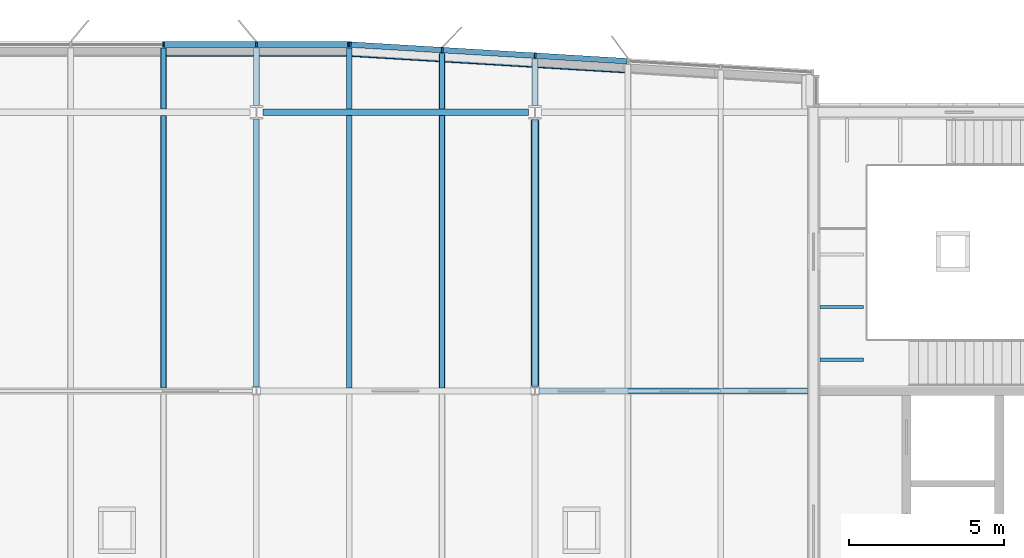
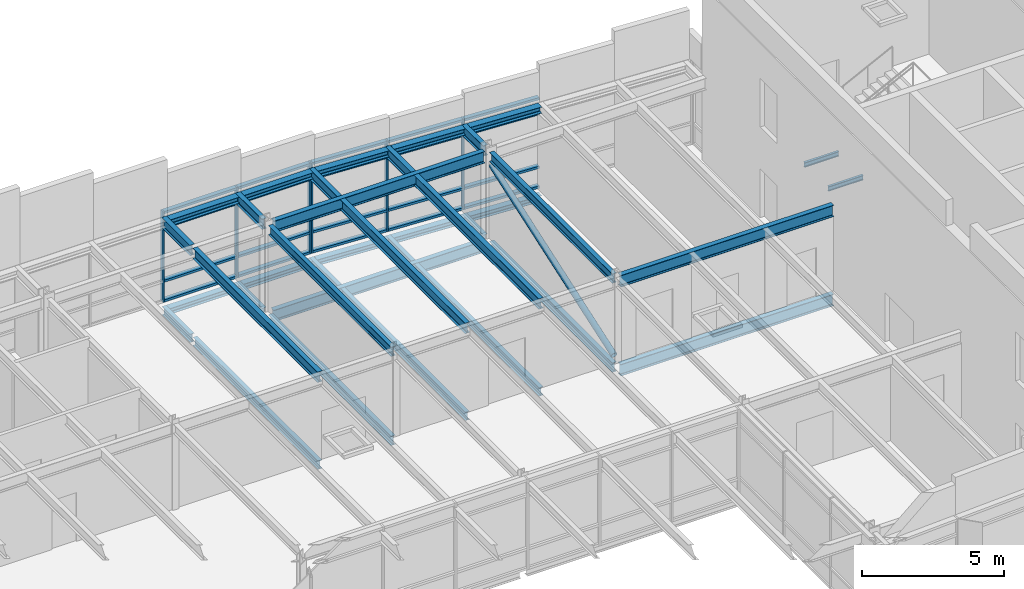
# One storey, part 8 of 23: 36 beams, 27 members, 2 elements without a shape of their own.
"""IFC4 building model written with IfcOpenShell, lengths in metres."""

from ifc_helpers import new_model, si_unit, direction, frame, origin, origin_2d, place, context, subcontext, project, spatial, rectangle, hollow_circle, i_section, extrude, material, material_profile, profile_set, type_object, element, aggregate, save


model = new_model("IFC4")

# Units and contexts
model_context = context("Model", 3, precision=1e-05, world=origin(), true_north=direction((0.0, 1.0)))
body_context = subcontext(model_context, "Body", "Model", "MODEL_VIEW")
ifc_project = project(units=[si_unit("LENGTHUNIT", "METRE"), si_unit("AREAUNIT", "SQUARE_METRE"), si_unit("VOLUMEUNIT", "CUBIC_METRE"), si_unit("PLANEANGLEUNIT", "RADIAN"), si_unit("MASSUNIT", "GRAM", prefix="KILO")], contexts=[model_context])

# Site, building, storey
site_placement = place(None, origin())
site = spatial("IfcSite", under=ifc_project, at=site_placement, CompositionType="ELEMENT")
building_placement = place(site_placement, origin())
building = spatial("IfcBuilding", under=site, at=building_placement, Name="Azimuth Sports and Learning Centre", CompositionType="ELEMENT")
storey_placement = place(building_placement, frame((0.0, 0.0, 75.300048828125)))
storey = spatial("IfcBuildingStorey", under=building, at=storey_placement, Name="L17", CompositionType="ELEMENT", Elevation=75.300048828125)

# Beams
ifc_material_1 = material(Name="Steel S355", Category="steel")
ifc_material_profile_1 = material_profile(ifc_material_1, i_section(OverallWidth=0.10009765625, OverallDepth=0.199951171875, WebThickness=0.005615234375, FlangeThickness=0.008544921875, FilletRadius=0.011962890625, at=origin_2d()), Name="IPE 200")
ifc_profile_set_1 = profile_set([ifc_material_profile_1], Name="Steel S355")
beam_type_1 = type_object("IfcBeamType", Name="Beam IPE 200", PredefinedType="BEAM", material=ifc_profile_set_1)
for number, where, z_axis, x_axis, name in (
    (1, (108.199951171875, 109.00830078125, 3.599853515625), (1.0, 0.0, 0.0), (0.0, 1.0, 0.0), "Landing bracket E2 L17 710"),
    (2, (108.199951171875, 110.705078125, 3.599853515625), (1.0, 0.0, 0.0), (0.0, 1.0, 0.0), "Landing bracket E2 L17 711"),
):
    element("IfcBeam", number, at=place(storey_placement, frame(where, z_axis=z_axis, x_axis=x_axis)), inside=storey, type_object=beam_type_1, Name=name, PredefinedType="BEAM", context=body_context, shape_type="SweptSolid", body=[
        extrude(i_section(OverallWidth=0.10009765625, OverallDepth=0.199951171875, WebThickness=0.005615234375, FlangeThickness=0.008544921875, FilletRadius=0.011962890625, at=origin_2d()), origin(), (0.0, 0.0, 1.0), 1.41015625),
    ])
ifc_material_2 = material(Name="Steel S355", Category="steel")
ifc_material_profile_2 = material_profile(ifc_material_2, i_section(OverallWidth=0.179931640625, OverallDepth=0.39990234375, WebThickness=0.008544921875, FlangeThickness=0.013427734375, FilletRadius=0.02099609375, at=origin_2d()), Name="IPE 400")
ifc_profile_set_2 = profile_set([ifc_material_profile_2], Name="Steel S355")
beam_type_2 = type_object("IfcBeamType", Name="Beam IPE 400", PredefinedType="BEAM", material=ifc_profile_set_2)
for number, where, z_axis, x_axis, name in (
    (3, (90.0, 108.1298828125, -0.330078125), (0.0, 1.0, 0.0), (-1.0, 0.0, 0.0), "Tower tie"),
    (4, (99.0, 108.1298828125, -0.330078125), (0.0, 1.0, 0.0), (-1.0, 0.0, 0.0), "Tower tie"),
    (5, (90.0, 108.1298828125, 3.5), (0.0, 1.0, 0.0), (-1.0, 0.0, 0.0), "Roof tie"),
    (6, (99.0, 108.1298828125, 3.5), (0.0, 1.0, 0.0), (-1.0, 0.0, 0.0), "Roof tie"),
):
    element("IfcBeam", number, at=place(storey_placement, frame(where, z_axis=z_axis, x_axis=x_axis)), inside=storey, type_object=beam_type_2, Name=name, PredefinedType="BEAM", context=body_context, shape_type="SweptSolid", body=[
        extrude(i_section(OverallWidth=0.179931640625, OverallDepth=0.39990234375, WebThickness=0.008544921875, FlangeThickness=0.013427734375, FilletRadius=0.02099609375, at=origin_2d()), origin(), (0.0, 0.0, 1.0), 8.652587890625),
    ])
ifc_material_3 = material(Name="Steel S355", Category="steel")
ifc_material_profile_3 = material_profile(ifc_material_3, i_section(OverallWidth=0.199951171875, OverallDepth=0.5, WebThickness=0.01025390625, FlangeThickness=0.01611328125, FilletRadius=0.02099609375, at=origin_2d()), Name="IPE 500")
ifc_profile_set_3 = profile_set([ifc_material_profile_3], Name="Steel S355")
beam_type_3 = type_object("IfcBeamType", Name="Beam IPE 500", PredefinedType="BEAM", material=ifc_profile_set_3)
beam_1_placement = place(storey_placement, frame((99.1298828125, 108.0, -0.380126953125), z_axis=(1.0, 0.0, 0.0), x_axis=(0.0, 1.0, 0.0)))
element("IfcBeam", 7, at=beam_1_placement, inside=storey, type_object=beam_type_3, Name="Tower girder L17", PredefinedType="BEAM", context=body_context, shape_type="SweptSolid", body=[
    extrude(i_section(OverallWidth=0.199951171875, OverallDepth=0.5, WebThickness=0.01025390625, FlangeThickness=0.01611328125, FilletRadius=0.02099609375, at=origin_2d()), origin(), (0.0, 0.0, 1.0), 8.670166015625),
])
beam_2_placement = place(storey_placement, frame((90.2060546875, 117.0, -0.380126953125), z_axis=(1.0, 0.0, 0.0), x_axis=(0.0, 1.0, 0.0)))
element("IfcBeam", 8, at=beam_2_placement, inside=storey, type_object=beam_type_3, Name="Tower girder L17", PredefinedType="BEAM", context=body_context, shape_type="SweptSolid", body=[
    extrude(i_section(OverallWidth=0.199951171875, OverallDepth=0.5, WebThickness=0.01025390625, FlangeThickness=0.01611328125, FilletRadius=0.02099609375, at=origin_2d()), origin(), (0.0, 0.0, 1.0), 8.587890625),
])
beam_3_placement = place(storey_placement, frame((99.1298828125, 108.0, 3.449951171875), z_axis=(1.0, 0.0, 0.0), x_axis=(0.0, 1.0, 0.0)))
element("IfcBeam", 9, at=beam_3_placement, inside=storey, type_object=beam_type_3, Name="Roof girder", PredefinedType="BEAM", context=body_context, shape_type="SweptSolid", body=[
    extrude(i_section(OverallWidth=0.199951171875, OverallDepth=0.5, WebThickness=0.01025390625, FlangeThickness=0.01611328125, FilletRadius=0.02099609375, at=origin_2d()), origin(), (0.0, 0.0, 1.0), 8.670166015625),
])
beam_4_placement = place(storey_placement, frame((90.2060546875, 117.0, 3.449951171875), z_axis=(1.0, 0.0, 0.0), x_axis=(0.0, 1.0, 0.0)))
element("IfcBeam", 10, at=beam_4_placement, inside=storey, type_object=beam_type_3, Name="Roof girder", PredefinedType="BEAM", context=body_context, shape_type="SweptSolid", body=[
    extrude(i_section(OverallWidth=0.199951171875, OverallDepth=0.5, WebThickness=0.01025390625, FlangeThickness=0.01611328125, FilletRadius=0.02099609375, at=origin_2d()), origin(), (0.0, 0.0, 1.0), 8.587890625),
])

# Member
ifc_material_4 = material(Name="Steel S355", Category="steel")
ifc_material_profile_4 = material_profile(ifc_material_4, hollow_circle(Radius=0.122314453125, WallThickness=0.012451171875, at=origin_2d()), Name="CHS 244.5x12.5")
ifc_profile_set_4 = profile_set([ifc_material_profile_4], Name="Steel S355")
member_type_1 = type_object("IfcMemberType", Name="Brace CHS 244.5x12.5", PredefinedType="BRACE", material=ifc_profile_set_4)
member_1_placement = place(storey_placement, frame((99.0, 108.149658203125, 0.1689453125), z_axis=(0.0, 0.945646677599, 0.325195881194), x_axis=(-1.0, 0.0, 0.0)))
element("IfcMember", 11, at=member_1_placement, inside=storey, type_object=member_type_1, Name="Tower brace 12 L17", PredefinedType="BRACE", context=body_context, shape_type="SweptSolid", body=[
    extrude(hollow_circle(Radius=0.122314453125, WallThickness=0.012451171875, at=origin_2d()), origin(), (0.0, 0.0, 1.0), 9.108154296875),
])

# Beams
ifc_material_5 = material(Name="Steel S355", Category="steel")
ifc_material_profile_5 = material_profile(ifc_material_5, i_section(OverallWidth=0.169921875, OverallDepth=0.360107421875, WebThickness=0.008056640625, FlangeThickness=0.0126953125, FilletRadius=0.01806640625, at=origin_2d()), Name="IPE 360")
ifc_profile_set_5 = profile_set([ifc_material_profile_5], Name="Steel S355")
beam_type_4 = type_object("IfcBeamType", Name="Cantilever stub IPE 360", PredefinedType="JOIST", material=ifc_profile_set_5)
beam_5_placement = place(storey_placement, frame((87.0, 117.10009765625, -0.31005859375), z_axis=(0.0, 1.0, 0.0), x_axis=(-1.0, 0.0, 0.0)))
element("IfcBeam", 12, at=beam_5_placement, inside=storey, type_object=beam_type_4, Name="Tower cantilever stub", PredefinedType="JOIST", context=body_context, shape_type="SweptSolid", body=[
    extrude(i_section(OverallWidth=0.169921875, OverallDepth=0.360107421875, WebThickness=0.008056640625, FlangeThickness=0.0126953125, FilletRadius=0.01806640625, at=origin_2d()), origin(), (0.0, 0.0, 1.0), 1.97998046875),
])
beam_6_placement = place(storey_placement, frame((90.0, 117.217529296875, -0.31005859375), z_axis=(0.0, 1.0, 0.0), x_axis=(-1.0, 0.0, 0.0)))
element("IfcBeam", 13, at=beam_6_placement, inside=storey, type_object=beam_type_4, Name="Tower cantilever stub", PredefinedType="JOIST", context=body_context, shape_type="SweptSolid", body=[
    extrude(i_section(OverallWidth=0.169921875, OverallDepth=0.360107421875, WebThickness=0.008056640625, FlangeThickness=0.0126953125, FilletRadius=0.01806640625, at=origin_2d()), origin(), (0.0, 0.0, 1.0), 1.862548828125),
])
beam_7_placement = place(storey_placement, frame((93.0, 117.10009765625, -0.31005859375), z_axis=(0.0, 1.0, 0.0), x_axis=(-1.0, 0.0, 0.0)))
element("IfcBeam", 14, at=beam_7_placement, inside=storey, type_object=beam_type_4, Name="Tower cantilever stub", PredefinedType="JOIST", context=body_context, shape_type="SweptSolid", body=[
    extrude(i_section(OverallWidth=0.169921875, OverallDepth=0.360107421875, WebThickness=0.008056640625, FlangeThickness=0.0126953125, FilletRadius=0.01806640625, at=origin_2d()), origin(), (0.0, 0.0, 1.0), 1.97998046875),
])
beam_8_placement = place(storey_placement, frame((96.0, 117.10009765625, -0.31005859375), z_axis=(0.0, 1.0, 0.0), x_axis=(-1.0, 0.0, 0.0)))
element("IfcBeam", 15, at=beam_8_placement, inside=storey, type_object=beam_type_4, Name="Tower cantilever stub", PredefinedType="JOIST", context=body_context, shape_type="SweptSolid", body=[
    extrude(i_section(OverallWidth=0.169921875, OverallDepth=0.360107421875, WebThickness=0.008056640625, FlangeThickness=0.0126953125, FilletRadius=0.01806640625, at=origin_2d()), origin(), (0.0, 0.0, 1.0), 1.7998046875),
])
beam_9_placement = place(storey_placement, frame((99.0, 117.217529296875, -0.31005859375), z_axis=(0.0, 1.0, 0.0), x_axis=(-1.0, 0.0, 0.0)))
element("IfcBeam", 16, at=beam_9_placement, inside=storey, type_object=beam_type_4, Name="Tower cantilever stub", PredefinedType="JOIST", context=body_context, shape_type="SweptSolid", body=[
    extrude(i_section(OverallWidth=0.169921875, OverallDepth=0.360107421875, WebThickness=0.008056640625, FlangeThickness=0.0126953125, FilletRadius=0.01806640625, at=origin_2d()), origin(), (0.0, 0.0, 1.0), 1.50244140625),
])
ifc_material_6 = material(Name="Steel S355", Category="steel")
ifc_material_profile_6 = material_profile(ifc_material_6, i_section(OverallWidth=0.18994140625, OverallDepth=0.449951171875, WebThickness=0.009521484375, FlangeThickness=0.0146484375, FilletRadius=0.02099609375, at=origin_2d()), Name="IPE 450")
ifc_profile_set_6 = profile_set([ifc_material_profile_6], Name="Steel S355")
beam_type_5 = type_object("IfcBeamType", Name="Cantilever stub IPE 450", PredefinedType="JOIST", material=ifc_profile_set_6)
beam_10_placement = place(storey_placement, frame((87.0, 117.10009765625, 3.474853515625), z_axis=(0.0, 1.0, 0.0), x_axis=(-1.0, 0.0, 0.0)))
element("IfcBeam", 17, at=beam_10_placement, inside=storey, type_object=beam_type_5, Name="Roof cantilever stub", PredefinedType="JOIST", context=body_context, shape_type="SweptSolid", body=[
    extrude(i_section(OverallWidth=0.18994140625, OverallDepth=0.449951171875, WebThickness=0.009521484375, FlangeThickness=0.0146484375, FilletRadius=0.02099609375, at=origin_2d()), origin(), (0.0, 0.0, 1.0), 1.97998046875),
])
beam_11_placement = place(storey_placement, frame((90.0, 117.217529296875, 3.474853515625), z_axis=(0.0, 1.0, 0.0), x_axis=(-1.0, 0.0, 0.0)))
element("IfcBeam", 18, at=beam_11_placement, inside=storey, type_object=beam_type_5, Name="Roof cantilever stub", PredefinedType="JOIST", context=body_context, shape_type="SweptSolid", body=[
    extrude(i_section(OverallWidth=0.18994140625, OverallDepth=0.449951171875, WebThickness=0.009521484375, FlangeThickness=0.0146484375, FilletRadius=0.02099609375, at=origin_2d()), origin(), (0.0, 0.0, 1.0), 1.862548828125),
])
beam_12_placement = place(storey_placement, frame((93.0, 117.10009765625, 3.474853515625), z_axis=(0.0, 1.0, 0.0), x_axis=(-1.0, 0.0, 0.0)))
element("IfcBeam", 19, at=beam_12_placement, inside=storey, type_object=beam_type_5, Name="Roof cantilever stub", PredefinedType="JOIST", context=body_context, shape_type="SweptSolid", body=[
    extrude(i_section(OverallWidth=0.18994140625, OverallDepth=0.449951171875, WebThickness=0.009521484375, FlangeThickness=0.0146484375, FilletRadius=0.02099609375, at=origin_2d()), origin(), (0.0, 0.0, 1.0), 1.97998046875),
])
beam_13_placement = place(storey_placement, frame((96.0, 117.10009765625, 3.474853515625), z_axis=(0.0, 1.0, 0.0), x_axis=(-1.0, 0.0, 0.0)))
element("IfcBeam", 20, at=beam_13_placement, inside=storey, type_object=beam_type_5, Name="Roof cantilever stub", PredefinedType="JOIST", context=body_context, shape_type="SweptSolid", body=[
    extrude(i_section(OverallWidth=0.18994140625, OverallDepth=0.449951171875, WebThickness=0.009521484375, FlangeThickness=0.0146484375, FilletRadius=0.02099609375, at=origin_2d()), origin(), (0.0, 0.0, 1.0), 1.7998046875),
])
beam_14_placement = place(storey_placement, frame((99.0, 117.217529296875, 3.474853515625), z_axis=(0.0, 1.0, 0.0), x_axis=(-1.0, 0.0, 0.0)))
element("IfcBeam", 21, at=beam_14_placement, inside=storey, type_object=beam_type_5, Name="Roof cantilever stub", PredefinedType="JOIST", context=body_context, shape_type="SweptSolid", body=[
    extrude(i_section(OverallWidth=0.18994140625, OverallDepth=0.449951171875, WebThickness=0.009521484375, FlangeThickness=0.0146484375, FilletRadius=0.02099609375, at=origin_2d()), origin(), (0.0, 0.0, 1.0), 1.50244140625),
])
ifc_material_7 = material(Name="Steel S355", Category="steel")
ifc_material_profile_7 = material_profile(ifc_material_7, i_section(OverallWidth=0.260009765625, OverallDepth=0.25, WebThickness=0.007568359375, FlangeThickness=0.012451171875, FilletRadius=0.02392578125, at=origin_2d()), Name="HEA 260")
ifc_profile_set_7 = profile_set([ifc_material_profile_7], Name="Steel S355")
beam_type_6 = type_object("IfcBeamType", Name="Edge beam HEA 260", PredefinedType="SPANDREL", material=ifc_profile_set_7)
for number, where, z_axis, x_axis, name in (
    (22, (87.0849609375, 118.949951171875, -0.255126953125), (1.0, 0.0, 0.0), (0.0, 1.0, 0.0), "Tower edge beam"),
    (23, (90.0849609375, 118.949951171875, -0.255126953125), (1.0, 0.0, 0.0), (0.0, 1.0, 0.0), "Tower edge beam"),
):
    element("IfcBeam", number, at=place(storey_placement, frame(where, z_axis=z_axis, x_axis=x_axis)), inside=storey, type_object=beam_type_6, Name=name, PredefinedType="SPANDREL", context=body_context, shape_type="SweptSolid", body=[
        extrude(i_section(OverallWidth=0.260009765625, OverallDepth=0.25, WebThickness=0.007568359375, FlangeThickness=0.012451171875, FilletRadius=0.02392578125, at=origin_2d()), origin(), (0.0, 0.0, 1.0), 2.830078125),
    ])
for number, where, z_axis, x_axis, name in (
    (24, (93.0849609375, 118.94482421875, -0.255126953125), (0.998207521518, -0.059847673176, 0.0), (0.059847673176, 0.998207521518, 0.0), "Tower edge beam"),
    (25, (96.0849609375, 118.764892578125, -0.255126953125), (0.998207521518, -0.059847673176, 0.0), (0.059847673176, 0.998207521518, 0.0), "Tower edge beam"),
    (26, (99.0849609375, 118.5849609375, -0.255126953125), (0.998202373506, -0.059933475842, 0.0), (0.059933475842, 0.998202373506, 0.0), "Tower edge beam"),
):
    element("IfcBeam", number, at=place(storey_placement, frame(where, z_axis=z_axis, x_axis=x_axis)), inside=storey, type_object=beam_type_6, Name=name, PredefinedType="SPANDREL", context=body_context, shape_type="SweptSolid", body=[
        extrude(i_section(OverallWidth=0.260009765625, OverallDepth=0.25, WebThickness=0.007568359375, FlangeThickness=0.012451171875, FilletRadius=0.02392578125, at=origin_2d()), origin(), (0.0, 0.0, 1.0), 2.835205078125),
    ])
ifc_material_8 = material(Name="Steel S355", Category="steel")
ifc_material_profile_8 = material_profile(ifc_material_8, i_section(OverallWidth=0.280029296875, OverallDepth=0.27001953125, WebThickness=0.008056640625, FlangeThickness=0.012939453125, FilletRadius=0.02392578125, at=origin_2d()), Name="HEA 280")
ifc_profile_set_8 = profile_set([ifc_material_profile_8], Name="Steel S355")
beam_type_7 = type_object("IfcBeamType", Name="Edge beam HEA 280", PredefinedType="SPANDREL", material=ifc_profile_set_8)
for number, where, z_axis, x_axis, name in (
    (27, (87.094970703125, 118.93994140625, 3.56494140625), (1.0, 0.0, 0.0), (0.0, 1.0, 0.0), "Roof edge beam"),
    (28, (90.094970703125, 118.93994140625, 3.56494140625), (1.0, 0.0, 0.0), (0.0, 1.0, 0.0), "Roof edge beam"),
):
    element("IfcBeam", number, at=place(storey_placement, frame(where, z_axis=z_axis, x_axis=x_axis)), inside=storey, type_object=beam_type_7, Name=name, PredefinedType="SPANDREL", context=body_context, shape_type="SweptSolid", body=[
        extrude(i_section(OverallWidth=0.280029296875, OverallDepth=0.27001953125, WebThickness=0.008056640625, FlangeThickness=0.012939453125, FilletRadius=0.02392578125, at=origin_2d()), origin(), (0.0, 0.0, 1.0), 2.81005859375),
    ])
for number, where, z_axis, x_axis, name in (
    (29, (93.094970703125, 118.934326171875, 3.56494140625), (0.998202770938, -0.059926856187, 0.0), (0.059926856187, 0.998202770938, 0.0), "Roof edge beam"),
    (30, (96.094970703125, 118.75439453125, 3.56494140625), (0.998202770938, -0.059926856187, 0.0), (0.059926856187, 0.998202770938, 0.0), "Roof edge beam"),
    (31, (99.094970703125, 118.57421875, 3.56494140625), (0.99820795503, -0.059840442135, 0.0), (0.059840442135, 0.99820795503, 0.0), "Roof edge beam"),
):
    element("IfcBeam", number, at=place(storey_placement, frame(where, z_axis=z_axis, x_axis=x_axis)), inside=storey, type_object=beam_type_7, Name=name, PredefinedType="SPANDREL", context=body_context, shape_type="SweptSolid", body=[
        extrude(i_section(OverallWidth=0.280029296875, OverallDepth=0.27001953125, WebThickness=0.008056640625, FlangeThickness=0.012939453125, FilletRadius=0.02392578125, at=origin_2d()), origin(), (0.0, 0.0, 1.0), 2.815185546875),
    ])
ifc_material_9 = material(Name="Steel S355", Category="steel")
ifc_material_profile_9 = material_profile(ifc_material_9, i_section(OverallWidth=0.169921875, OverallDepth=0.360107421875, WebThickness=0.008056640625, FlangeThickness=0.0126953125, FilletRadius=0.01806640625, at=origin_2d()), Name="IPE 360")
ifc_profile_set_9 = profile_set([ifc_material_profile_9], Name="Steel S355")
beam_type_8 = type_object("IfcBeamType", Name="Joist IPE 360", PredefinedType="JOIST", material=ifc_profile_set_9)
for number, where, z_axis, x_axis, name in (
    (32, (87.0, 108.10009765625, -0.31005859375), (0.0, 1.0, 0.0), (-1.0, 0.0, 0.0), "Tower joist"),
    (33, (93.0, 108.10009765625, -0.31005859375), (0.0, 1.0, 0.0), (-1.0, 0.0, 0.0), "Tower joist"),
    (34, (96.0, 108.10009765625, -0.31005859375), (0.0, 1.0, 0.0), (-1.0, 0.0, 0.0), "Tower joist"),
):
    element("IfcBeam", number, at=place(storey_placement, frame(where, z_axis=z_axis, x_axis=x_axis)), inside=storey, type_object=beam_type_8, Name=name, PredefinedType="JOIST", context=body_context, shape_type="SweptSolid", body=[
        extrude(i_section(OverallWidth=0.169921875, OverallDepth=0.360107421875, WebThickness=0.008056640625, FlangeThickness=0.0126953125, FilletRadius=0.01806640625, at=origin_2d()), origin(), (0.0, 0.0, 1.0), 8.7998046875),
    ])
ifc_material_10 = material(Name="Steel S355", Category="steel")
ifc_material_profile_10 = material_profile(ifc_material_10, i_section(OverallWidth=0.18994140625, OverallDepth=0.449951171875, WebThickness=0.009521484375, FlangeThickness=0.0146484375, FilletRadius=0.02099609375, at=origin_2d()), Name="IPE 450")
ifc_profile_set_10 = profile_set([ifc_material_profile_10], Name="Steel S355")
beam_type_9 = type_object("IfcBeamType", Name="Joist IPE 450", PredefinedType="JOIST", material=ifc_profile_set_10)
for number, where, z_axis, x_axis, name in (
    (35, (87.0, 108.10009765625, 3.474853515625), (0.0, 1.0, 0.0), (-1.0, 0.0, 0.0), "Roof joist"),
    (36, (93.0, 108.10009765625, 3.474853515625), (0.0, 1.0, 0.0), (-1.0, 0.0, 0.0), "Roof joist"),
    (37, (96.0, 108.10009765625, 3.474853515625), (0.0, 1.0, 0.0), (-1.0, 0.0, 0.0), "Roof joist"),
):
    element("IfcBeam", number, at=place(storey_placement, frame(where, z_axis=z_axis, x_axis=x_axis)), inside=storey, type_object=beam_type_9, Name=name, PredefinedType="JOIST", context=body_context, shape_type="SweptSolid", body=[
        extrude(i_section(OverallWidth=0.18994140625, OverallDepth=0.449951171875, WebThickness=0.009521484375, FlangeThickness=0.0146484375, FilletRadius=0.02099609375, at=origin_2d()), origin(), (0.0, 0.0, 1.0), 8.7998046875),
    ])

# Curtain wall, members
ifc_material_11 = material(Name="Aluminium and glass", Category="aluminium")
curtain_wall_type = type_object("IfcCurtainWallType", Name="Curtain wall tower north 180", PredefinedType="NOTDEFINED", material=ifc_material_11)
curtain_wall_1_placement = place(storey_placement, origin())
curtain_wall_1 = element("IfcCurtainWall", 38, at=curtain_wall_1_placement, inside=storey, type_object=curtain_wall_type, Name="Curtain wall CW17-009", PredefinedType="NOTDEFINED")
ifc_material_12 = material(Name="Aluminium", Category="aluminium")
ifc_material_profile_11 = material_profile(ifc_material_12, rectangle(XDim=0.179931640625, YDim=0.06005859375, at=origin_2d()), Name="Mullion 60x180")
ifc_profile_set_11 = profile_set([ifc_material_profile_11], Name="Aluminium")
member_type_2 = type_object("IfcMemberType", Name="Mullion 60x180", PredefinedType="MULLION", material=ifc_profile_set_11)
member_2_placement = place(storey_placement, frame((99.00537109375, 118.829833984375, 0.0), z_axis=(0.0, 0.0, 1.0), x_axis=(-0.059891991812, -0.998204863401, 0.0)))
member_2 = element("IfcMember", 39, at=member_2_placement, type_object=member_type_2, Name="CW17-009 mullion 4", PredefinedType="MULLION", context=body_context, shape_type="SweptSolid", body=[
    extrude(rectangle(XDim=0.179931640625, YDim=0.06005859375, at=origin_2d()), origin(), (0.0, 0.0, 1.0), 3.89990234375),
])
member_3_placement = place(storey_placement, frame((96.00537109375, 119.009765625, 0.0), z_axis=(0.0, 0.0, 1.0), x_axis=(-0.059891991812, -0.998204863401, 0.0)))
member_3 = element("IfcMember", 40, at=member_3_placement, type_object=member_type_2, Name="CW17-009 mullion 5", PredefinedType="MULLION", context=body_context, shape_type="SweptSolid", body=[
    extrude(rectangle(XDim=0.179931640625, YDim=0.06005859375, at=origin_2d()), origin(), (0.0, 0.0, 1.0), 3.89990234375),
])
member_4_placement = place(storey_placement, frame((93.035400390625, 119.18798828125, 0.0), z_axis=(0.0, 0.0, 1.0), x_axis=(-0.059891991812, -0.998204863401, 0.0)))
member_4 = element("IfcMember", 41, at=member_4_placement, type_object=member_type_2, Name="CW17-009 mullion 6", PredefinedType="MULLION", context=body_context, shape_type="SweptSolid", body=[
    extrude(rectangle(XDim=0.179931640625, YDim=0.06005859375, at=origin_2d()), origin(), (0.0, 0.0, 1.0), 3.89990234375),
])

curtain_wall_2_placement = place(storey_placement, origin())
curtain_wall_2 = element("IfcCurtainWall", 42, at=curtain_wall_2_placement, inside=storey, type_object=curtain_wall_type, Name="Curtain wall CW17-010", PredefinedType="NOTDEFINED")
member_5_placement = place(storey_placement, frame((92.975341796875, 119.18994140625, 0.0), z_axis=(0.0, 0.0, 1.0), x_axis=(0.0, -1.0, 0.0)))
member_5 = element("IfcMember", 43, at=member_5_placement, type_object=member_type_2, Name="CW17-010 mullion 1", PredefinedType="MULLION", context=body_context, shape_type="SweptSolid", body=[
    extrude(rectangle(XDim=0.179931640625, YDim=0.06005859375, at=origin_2d()), origin(), (0.0, 0.0, 1.0), 3.89990234375),
])
member_6_placement = place(storey_placement, frame((90.0, 119.18994140625, 0.0), z_axis=(0.0, 0.0, 1.0), x_axis=(0.0, -1.0, 0.0)))
member_6 = element("IfcMember", 44, at=member_6_placement, type_object=member_type_2, Name="CW17-010 mullion 2", PredefinedType="MULLION", context=body_context, shape_type="SweptSolid", body=[
    extrude(rectangle(XDim=0.179931640625, YDim=0.06005859375, at=origin_2d()), origin(), (0.0, 0.0, 1.0), 3.89990234375),
])
member_7_placement = place(storey_placement, frame((87.0, 119.18994140625, 0.0), z_axis=(0.0, 0.0, 1.0), x_axis=(0.0, -1.0, 0.0)))
member_7 = element("IfcMember", 45, at=member_7_placement, type_object=member_type_2, Name="CW17-010 mullion 3", PredefinedType="MULLION", context=body_context, shape_type="SweptSolid", body=[
    extrude(rectangle(XDim=0.179931640625, YDim=0.06005859375, at=origin_2d()), origin(), (0.0, 0.0, 1.0), 3.89990234375),
])

# Member
ifc_material_13 = material(Name="Aluminium", Category="aluminium")
ifc_material_profile_12 = material_profile(ifc_material_13, rectangle(XDim=0.179931640625, YDim=0.10009765625, at=origin_2d()), Name="Transom 100x180")
ifc_profile_set_12 = profile_set([ifc_material_profile_12], Name="Aluminium")
member_type_3 = type_object("IfcMemberType", Name="Transom 100x180", PredefinedType="USERDEFINED", material=ifc_profile_set_12)
member_8_placement = place(storey_placement, frame((101.975341796875, 118.651611328125, 0.050048828125), z_axis=(-0.998202465912, 0.059931936792, 0.0), x_axis=(-0.059931936792, -0.998202465912, 0.0)))
member_8 = element("IfcMember", 46, at=member_8_placement, type_object=member_type_3, Name="CW17-009 transom 3.1", ObjectType="TRANSOM", PredefinedType="USERDEFINED", context=body_context, shape_type="SweptSolid", body=[
    extrude(rectangle(XDim=0.179931640625, YDim=0.10009765625, at=origin_2d()), origin(), (0.0, 0.0, 1.0), 2.9453125),
])

member_9_placement = place(storey_placement, frame((101.975341796875, 118.651611328125, 0.89990234375), z_axis=(-0.998202465912, 0.059931936792, 0.0), x_axis=(-0.059931936792, -0.998202465912, 0.0)))
member_9 = element("IfcMember", 47, at=member_9_placement, type_object=member_type_3, Name="CW17-009 transom 3.2", ObjectType="TRANSOM", PredefinedType="USERDEFINED", context=body_context, shape_type="SweptSolid", body=[
    extrude(rectangle(XDim=0.179931640625, YDim=0.10009765625, at=origin_2d()), origin(), (0.0, 0.0, 1.0), 2.9453125),
])

member_10_placement = place(storey_placement, frame((101.975341796875, 118.651611328125, 3.199951171875), z_axis=(-0.998202465912, 0.059931936792, 0.0), x_axis=(-0.059931936792, -0.998202465912, 0.0)))
member_10 = element("IfcMember", 48, at=member_10_placement, type_object=member_type_3, Name="CW17-009 transom 3.3", ObjectType="TRANSOM", PredefinedType="USERDEFINED", context=body_context, shape_type="SweptSolid", body=[
    extrude(rectangle(XDim=0.179931640625, YDim=0.10009765625, at=origin_2d()), origin(), (0.0, 0.0, 1.0), 2.9453125),
])

member_11_placement = place(storey_placement, frame((101.975341796875, 118.651611328125, 3.849853515625), z_axis=(-0.998202465912, 0.059931936792, 0.0), x_axis=(-0.059931936792, -0.998202465912, 0.0)))
member_11 = element("IfcMember", 49, at=member_11_placement, type_object=member_type_3, Name="CW17-009 transom 3.4", ObjectType="TRANSOM", PredefinedType="USERDEFINED", context=body_context, shape_type="SweptSolid", body=[
    extrude(rectangle(XDim=0.179931640625, YDim=0.10009765625, at=origin_2d()), origin(), (0.0, 0.0, 1.0), 2.9453125),
])

member_12_placement = place(storey_placement, frame((98.975341796875, 118.83154296875, 0.050048828125), z_axis=(-0.998202465912, 0.059931936792, 0.0), x_axis=(-0.059931936792, -0.998202465912, 0.0)))
member_12 = element("IfcMember", 50, at=member_12_placement, type_object=member_type_3, Name="CW17-009 transom 4.1", ObjectType="TRANSOM", PredefinedType="USERDEFINED", context=body_context, shape_type="SweptSolid", body=[
    extrude(rectangle(XDim=0.179931640625, YDim=0.10009765625, at=origin_2d()), origin(), (0.0, 0.0, 1.0), 2.9453125),
])

member_13_placement = place(storey_placement, frame((98.975341796875, 118.83154296875, 0.89990234375), z_axis=(-0.998202465912, 0.059931936792, 0.0), x_axis=(-0.059931936792, -0.998202465912, 0.0)))
member_13 = element("IfcMember", 51, at=member_13_placement, type_object=member_type_3, Name="CW17-009 transom 4.2", ObjectType="TRANSOM", PredefinedType="USERDEFINED", context=body_context, shape_type="SweptSolid", body=[
    extrude(rectangle(XDim=0.179931640625, YDim=0.10009765625, at=origin_2d()), origin(), (0.0, 0.0, 1.0), 2.9453125),
])

member_14_placement = place(storey_placement, frame((98.975341796875, 118.83154296875, 3.199951171875), z_axis=(-0.998202465912, 0.059931936792, 0.0), x_axis=(-0.059931936792, -0.998202465912, 0.0)))
member_14 = element("IfcMember", 52, at=member_14_placement, type_object=member_type_3, Name="CW17-009 transom 4.3", ObjectType="TRANSOM", PredefinedType="USERDEFINED", context=body_context, shape_type="SweptSolid", body=[
    extrude(rectangle(XDim=0.179931640625, YDim=0.10009765625, at=origin_2d()), origin(), (0.0, 0.0, 1.0), 2.9453125),
])

member_15_placement = place(storey_placement, frame((98.975341796875, 118.83154296875, 3.849853515625), z_axis=(-0.998202465912, 0.059931936792, 0.0), x_axis=(-0.059931936792, -0.998202465912, 0.0)))
member_15 = element("IfcMember", 53, at=member_15_placement, type_object=member_type_3, Name="CW17-009 transom 4.4", ObjectType="TRANSOM", PredefinedType="USERDEFINED", context=body_context, shape_type="SweptSolid", body=[
    extrude(rectangle(XDim=0.179931640625, YDim=0.10009765625, at=origin_2d()), origin(), (0.0, 0.0, 1.0), 2.9453125),
])

member_16_placement = place(storey_placement, frame((95.975341796875, 119.01171875, 0.050048828125), z_axis=(-0.998205846627, 0.059875602377, 0.0), x_axis=(-0.059875602377, -0.998205846627, 0.0)))
member_16 = element("IfcMember", 54, at=member_16_placement, type_object=member_type_3, Name="CW17-009 transom 5.1", ObjectType="TRANSOM", PredefinedType="USERDEFINED", context=body_context, shape_type="SweptSolid", body=[
    extrude(rectangle(XDim=0.179931640625, YDim=0.10009765625, at=origin_2d()), origin(), (0.0, 0.0, 1.0), 2.915283203125),
])

member_17_placement = place(storey_placement, frame((95.975341796875, 119.01171875, 0.89990234375), z_axis=(-0.998205846627, 0.059875602377, 0.0), x_axis=(-0.059875602377, -0.998205846627, 0.0)))
member_17 = element("IfcMember", 55, at=member_17_placement, type_object=member_type_3, Name="CW17-009 transom 5.2", ObjectType="TRANSOM", PredefinedType="USERDEFINED", context=body_context, shape_type="SweptSolid", body=[
    extrude(rectangle(XDim=0.179931640625, YDim=0.10009765625, at=origin_2d()), origin(), (0.0, 0.0, 1.0), 2.915283203125),
])

member_18_placement = place(storey_placement, frame((95.975341796875, 119.01171875, 3.199951171875), z_axis=(-0.998205846627, 0.059875602377, 0.0), x_axis=(-0.059875602377, -0.998205846627, 0.0)))
member_18 = element("IfcMember", 56, at=member_18_placement, type_object=member_type_3, Name="CW17-009 transom 5.3", ObjectType="TRANSOM", PredefinedType="USERDEFINED", context=body_context, shape_type="SweptSolid", body=[
    extrude(rectangle(XDim=0.179931640625, YDim=0.10009765625, at=origin_2d()), origin(), (0.0, 0.0, 1.0), 2.915283203125),
])

member_19_placement = place(storey_placement, frame((95.975341796875, 119.01171875, 3.849853515625), z_axis=(-0.998205846627, 0.059875602377, 0.0), x_axis=(-0.059875602377, -0.998205846627, 0.0)))
member_19 = element("IfcMember", 57, at=member_19_placement, type_object=member_type_3, Name="CW17-009 transom 5.4", ObjectType="TRANSOM", PredefinedType="USERDEFINED", context=body_context, shape_type="SweptSolid", body=[
    extrude(rectangle(XDim=0.179931640625, YDim=0.10009765625, at=origin_2d()), origin(), (0.0, 0.0, 1.0), 2.915283203125),
])

aggregate(curtain_wall_1, [member_2, member_3, member_4, member_8, member_9, member_10, member_11, member_12, member_13, member_14, member_15, member_16, member_17, member_18, member_19])

member_20_placement = place(storey_placement, frame((92.9453125, 119.18994140625, 0.050048828125), z_axis=(-1.0, 0.0, 0.0), x_axis=(0.0, -1.0, 0.0)))
member_20 = element("IfcMember", 58, at=member_20_placement, type_object=member_type_3, Name="CW17-010 transom 1.1", ObjectType="TRANSOM", PredefinedType="USERDEFINED", context=body_context, shape_type="SweptSolid", body=[
    extrude(rectangle(XDim=0.179931640625, YDim=0.10009765625, at=origin_2d()), origin(), (0.0, 0.0, 1.0), 2.915283203125),
])

member_21_placement = place(storey_placement, frame((92.9453125, 119.18994140625, 0.89990234375), z_axis=(-1.0, 0.0, 0.0), x_axis=(0.0, -1.0, 0.0)))
member_21 = element("IfcMember", 59, at=member_21_placement, type_object=member_type_3, Name="CW17-010 transom 1.2", ObjectType="TRANSOM", PredefinedType="USERDEFINED", context=body_context, shape_type="SweptSolid", body=[
    extrude(rectangle(XDim=0.179931640625, YDim=0.10009765625, at=origin_2d()), origin(), (0.0, 0.0, 1.0), 2.915283203125),
])

member_22_placement = place(storey_placement, frame((92.9453125, 119.18994140625, 3.199951171875), z_axis=(-1.0, 0.0, 0.0), x_axis=(0.0, -1.0, 0.0)))
member_22 = element("IfcMember", 60, at=member_22_placement, type_object=member_type_3, Name="CW17-010 transom 1.3", ObjectType="TRANSOM", PredefinedType="USERDEFINED", context=body_context, shape_type="SweptSolid", body=[
    extrude(rectangle(XDim=0.179931640625, YDim=0.10009765625, at=origin_2d()), origin(), (0.0, 0.0, 1.0), 2.915283203125),
])

member_23_placement = place(storey_placement, frame((92.9453125, 119.18994140625, 3.849853515625), z_axis=(-1.0, 0.0, 0.0), x_axis=(0.0, -1.0, 0.0)))
member_23 = element("IfcMember", 61, at=member_23_placement, type_object=member_type_3, Name="CW17-010 transom 1.4", ObjectType="TRANSOM", PredefinedType="USERDEFINED", context=body_context, shape_type="SweptSolid", body=[
    extrude(rectangle(XDim=0.179931640625, YDim=0.10009765625, at=origin_2d()), origin(), (0.0, 0.0, 1.0), 2.915283203125),
])

member_24_placement = place(storey_placement, frame((89.969970703125, 119.18994140625, 0.050048828125), z_axis=(-1.0, 0.0, 0.0), x_axis=(0.0, -1.0, 0.0)))
member_24 = element("IfcMember", 62, at=member_24_placement, type_object=member_type_3, Name="CW17-010 transom 2.1", ObjectType="TRANSOM", PredefinedType="USERDEFINED", context=body_context, shape_type="SweptSolid", body=[
    extrude(rectangle(XDim=0.179931640625, YDim=0.10009765625, at=origin_2d()), origin(), (0.0, 0.0, 1.0), 2.93994140625),
])

member_25_placement = place(storey_placement, frame((89.969970703125, 119.18994140625, 0.89990234375), z_axis=(-1.0, 0.0, 0.0), x_axis=(0.0, -1.0, 0.0)))
member_25 = element("IfcMember", 63, at=member_25_placement, type_object=member_type_3, Name="CW17-010 transom 2.2", ObjectType="TRANSOM", PredefinedType="USERDEFINED", context=body_context, shape_type="SweptSolid", body=[
    extrude(rectangle(XDim=0.179931640625, YDim=0.10009765625, at=origin_2d()), origin(), (0.0, 0.0, 1.0), 2.93994140625),
])

member_26_placement = place(storey_placement, frame((89.969970703125, 119.18994140625, 3.199951171875), z_axis=(-1.0, 0.0, 0.0), x_axis=(0.0, -1.0, 0.0)))
member_26 = element("IfcMember", 64, at=member_26_placement, type_object=member_type_3, Name="CW17-010 transom 2.3", ObjectType="TRANSOM", PredefinedType="USERDEFINED", context=body_context, shape_type="SweptSolid", body=[
    extrude(rectangle(XDim=0.179931640625, YDim=0.10009765625, at=origin_2d()), origin(), (0.0, 0.0, 1.0), 2.93994140625),
])

member_27_placement = place(storey_placement, frame((89.969970703125, 119.18994140625, 3.849853515625), z_axis=(-1.0, 0.0, 0.0), x_axis=(0.0, -1.0, 0.0)))
member_27 = element("IfcMember", 65, at=member_27_placement, type_object=member_type_3, Name="CW17-010 transom 2.4", ObjectType="TRANSOM", PredefinedType="USERDEFINED", context=body_context, shape_type="SweptSolid", body=[
    extrude(rectangle(XDim=0.179931640625, YDim=0.10009765625, at=origin_2d()), origin(), (0.0, 0.0, 1.0), 2.93994140625),
])

aggregate(curtain_wall_2, [member_5, member_6, member_7, member_20, member_21, member_22, member_23, member_24, member_25, member_26, member_27])

save(model, "model.ifc")
